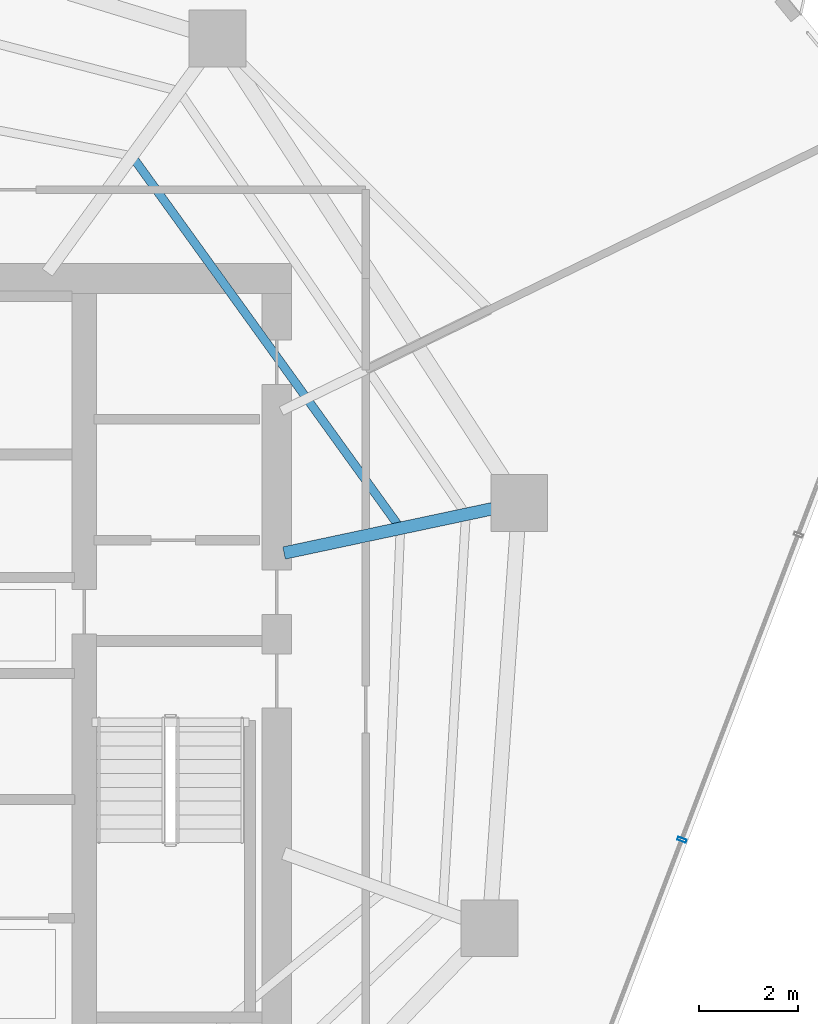
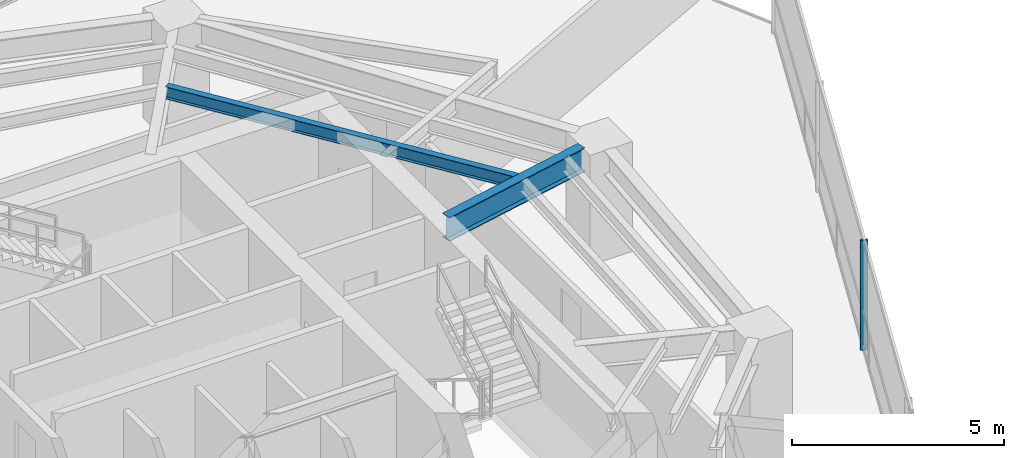
# One storey, part 14 of 27: 2 beams, 1 member, 1 element without a shape of its own.
"""IFC4 building model written with IfcOpenShell, lengths in metres."""

import ifcopenshell
import ifcopenshell.guid

model = None  # the IFC model being written
_history = None  # IfcOwnerHistory: only IFC2X3 demands one
_inside = {}  # id of a spatial element -> (the spatial element, [elements in it])
_under = {}  # id of a project, library or spatial element -> (it, [spatial elements below it])
_declared = {}  # id of a project -> (the project, [libraries it declares])
_typed = {}  # id of a type object -> (the type object, [elements of that type])
_made_of = {}  # id of a material, layer set ... -> (it, [elements and type objects made of it])


def new_model(schema):
    """Start an empty IFC model of exactly this schema.

    Asked for "IFC4X3", IfcOpenShell would pick the latest addendum, in which some entities
    have other attributes; the version numbers below select the first issue.
    IFC2X3 requires an IfcOwnerHistory on every rooted entity: one is made here for all.
    """
    global model, _history
    if schema == "IFC4X3":
        model = ifcopenshell.file(schema_version=(4, 3, 0, 0))
    else:
        model = ifcopenshell.file(schema=schema)
    _inside.clear()
    _under.clear()
    _declared.clear()
    _typed.clear()
    _made_of.clear()
    _history = None
    if model.schema == "IFC2X3":
        org = make("IfcOrganization", Name="unknown")
        user = make(
            "IfcPersonAndOrganization",
            ThePerson=make("IfcPerson", FamilyName="unknown"),
            TheOrganization=org,
        )
        app = make(
            "IfcApplication",
            ApplicationDeveloper=org,
            Version="unknown",
            ApplicationFullName="unknown",
            ApplicationIdentifier="unknown",
        )
        _history = make(
            "IfcOwnerHistory",
            OwningUser=user,
            OwningApplication=app,
            ChangeAction="ADDED",
            CreationDate=0,
        )
    return model


def make(cls, **values):
    """One entity of the class cls with the attributes given. An attribute that is None is left unset."""
    return model.create_entity(
        cls, **{name: value for name, value in values.items() if value is not None}
    )


def rooted(cls, **values):
    """An entity with a GlobalId (a new one), such as an element, a storey or a relation."""
    return make(cls, GlobalId=ifcopenshell.guid.new(), OwnerHistory=_history, **values)


def si_unit(unit_type, name, prefix=None):
    """IfcSIUnit, for example si_unit("LENGTHUNIT", "METRE", prefix="MILLI")."""
    return make("IfcSIUnit", UnitType=unit_type, Prefix=prefix, Name=name)


def assignment(units):
    """IfcUnitAssignment: the units of a project."""
    return None if units is None else make("IfcUnitAssignment", Units=units)


def point(xyz):
    """IfcCartesianPoint."""
    return None if xyz is None else make("IfcCartesianPoint", Coordinates=xyz)


def direction(xyz):
    """IfcDirection."""
    return None if xyz is None else make("IfcDirection", DirectionRatios=xyz)


def frame(location, z_axis=None, x_axis=None):
    """IfcAxis2Placement3D, a coordinate frame: its origin and axes. An axis left out is left unset."""
    return make(
        "IfcAxis2Placement3D",
        Location=point(location),
        Axis=direction(z_axis),
        RefDirection=direction(x_axis),
    )


def frame_2d(location, x_axis=None):
    """IfcAxis2Placement2D, a coordinate frame in the plane: its origin and x axis."""
    return make(
        "IfcAxis2Placement2D", Location=point(location), RefDirection=direction(x_axis)
    )


def origin():
    """The frame at (0, 0, 0) with its axes left unset."""
    return frame((0.0, 0.0, 0.0))


def origin_2d():
    """The frame at (0, 0) in the plane with its x axis left unset."""
    return frame_2d((0.0, 0.0))


def place(relative_to, where):
    """IfcLocalPlacement: puts the frame where relative to a parent placement (None: the world)."""
    return make(
        "IfcLocalPlacement", PlacementRelTo=relative_to, RelativePlacement=where
    )


def context(
    kind, dimensions, precision=None, world=None, true_north=None, identifier=None
):
    """IfcGeometricRepresentationContext, for example the 3D "Model" context."""
    return make(
        "IfcGeometricRepresentationContext",
        ContextIdentifier=identifier,
        ContextType=kind,
        CoordinateSpaceDimension=dimensions,
        Precision=precision,
        WorldCoordinateSystem=world,
        TrueNorth=true_north,
    )


def subcontext(parent, identifier, kind, view, scale=None):
    """IfcGeometricRepresentationSubContext, for example "Body" below "Model"."""
    return make(
        "IfcGeometricRepresentationSubContext",
        ContextIdentifier=identifier,
        ContextType=kind,
        ParentContext=parent,
        TargetScale=scale,
        TargetView=view,
    )


def project(units=None, contexts=None):
    """IfcProject with its units and contexts."""
    return rooted(
        "IfcProject",
        Name="project",
        RepresentationContexts=contexts,
        UnitsInContext=assignment(units),
    )


def spatial(cls, under=None, at=None, **own):
    """A site, building, storey or space (cls), placed at a placement, below another one or the project."""
    s = rooted(cls, ObjectPlacement=at, **own)
    if under is not None:
        _under.setdefault(under.id(), (under, []))[1].append(s)
    return s


def profile(cls, at=None, kind="AREA", **sizes):
    """A parametric profile (cls). Its sizes go by their IFC names, for example OverallWidth=200.0."""
    return make(cls, ProfileType=kind, Position=at, **sizes)


def hollow_rectangle(**sizes):
    """IfcRectangleHollowProfileDef."""
    return profile("IfcRectangleHollowProfileDef", **sizes)


def i_section(**sizes):
    """IfcIShapeProfileDef."""
    return profile("IfcIShapeProfileDef", **sizes)


def extrude(swept, where, along, depth):
    """IfcExtrudedAreaSolid: the profile swept, set in the frame where, extruded along a direction by depth."""
    return make(
        "IfcExtrudedAreaSolid",
        SweptArea=swept,
        Position=where,
        ExtrudedDirection=direction(along),
        Depth=depth,
    )


def shape(context_of_items, identifier, shape_type, items):
    """IfcShapeRepresentation: the items that make up one representation, for example the "Body"."""
    return make(
        "IfcShapeRepresentation",
        ContextOfItems=context_of_items,
        RepresentationIdentifier=identifier,
        RepresentationType=shape_type,
        Items=items,
    )


def material(Name=None, Category=None):
    """IfcMaterial."""
    return make("IfcMaterial", Name=Name, Category=Category)


def layer(
    of_material, thickness, ventilated=None, Name=None, Category=None, Priority=None
):
    """IfcMaterialLayer: one layer of a wall or slab, of a material (None: an air gap)."""
    return make(
        "IfcMaterialLayer",
        Material=of_material,
        LayerThickness=thickness,
        IsVentilated=ventilated,
        Name=Name,
        Category=Category,
        Priority=Priority,
    )


def layer_set(layers, Name=None):
    """IfcMaterialLayerSet."""
    return make("IfcMaterialLayerSet", MaterialLayers=layers, LayerSetName=Name)


def material_profile(
    of_material, cross_section, Name=None, Category=None, Priority=None
):
    """IfcMaterialProfile: a cross section and its material."""
    return make(
        "IfcMaterialProfile",
        Name=Name,
        Material=of_material,
        Profile=cross_section,
        Priority=Priority,
        Category=Category,
    )


def profile_set(profiles, Name=None, composite=None):
    """IfcMaterialProfileSet."""
    return make(
        "IfcMaterialProfileSet",
        Name=Name,
        MaterialProfiles=profiles,
        CompositeProfile=composite,
    )


def made_of(thing, what):
    """Note that an element or type object is made of a material, layer set ...; save() writes the relation."""
    if what is not None:
        _made_of.setdefault(what.id(), (what, []))[1].append(thing)
    return thing


def type_object(cls, material=None, **own):
    """A type object (cls), such as IfcWallType, which elements share."""
    return made_of(rooted(cls, **own), material)


def element(
    cls,
    number,
    at=None,
    inside=None,
    cuts=None,
    type_object=None,
    material=None,
    context=None,
    identifier="Body",
    shape_type=None,
    held_by="IfcProductDefinitionShape",
    body=None,
    shapes=None,
    **own,
):
    """One element of the class cls, such as IfcWall. Its Tag is "e" and its number.

    at: its placement. inside: the storey or other place that contains it. cuts: it is an
    opening in that element (IfcRelVoidsElement). A single representation is given by context,
    identifier, shape_type and body (its items); several are given by shapes. held_by: the class
    of the entity that holds the representations. save() writes the other relations.
    """
    e = rooted(cls, Tag="e%d" % number, ObjectPlacement=at, **own)
    if body is not None:
        shapes = [shape(context, identifier, shape_type, body)]
    if shapes is not None:
        e.Representation = make(held_by, Representations=shapes)
    if inside is not None:
        _inside.setdefault(inside.id(), (inside, []))[1].append(e)
    if cuts is not None:
        rooted(
            "IfcRelVoidsElement", RelatingBuildingElement=cuts, RelatedOpeningElement=e
        )
    if type_object is not None:
        _typed.setdefault(type_object.id(), (type_object, []))[1].append(e)
    return made_of(e, material)


def aggregate(whole, parts):
    """IfcRelAggregates: a whole, such as a stair, and the parts it consists of."""
    return rooted("IfcRelAggregates", RelatingObject=whole, RelatedObjects=parts)


def save(model, path):
    """Write the relations noted so far, then the file.

    IfcRelAggregates (storeys below a building ...), IfcRelContainedInSpatialStructure (elements
    in a storey), IfcRelDefinesByType, IfcRelAssociatesMaterial and IfcRelDeclares: one each for
    every whole, place, type object, material and project.
    """
    for whole, parts in _under.values():
        aggregate(whole, parts)
    for where, things in _inside.values():
        rooted(
            "IfcRelContainedInSpatialStructure",
            RelatedElements=things,
            RelatingStructure=where,
        )
    for kind, things in _typed.values():
        rooted("IfcRelDefinesByType", RelatedObjects=things, RelatingType=kind)
    for what, things in _made_of.values():
        rooted("IfcRelAssociatesMaterial", RelatedObjects=things, RelatingMaterial=what)
    for by, libraries in _declared.values():
        rooted("IfcRelDeclares", RelatingContext=by, RelatedDefinitions=libraries)
    model.write(path)


model = new_model("IFC4")

# Units and contexts
model_context = context("Model", 3, precision=1e-05, world=origin(), true_north=direction((0.0, 1.0)))
body_context = subcontext(model_context, "Body", "Model", "MODEL_VIEW")
ifc_project = project(units=[si_unit("LENGTHUNIT", "METRE"), si_unit("AREAUNIT", "SQUARE_METRE"), si_unit("VOLUMEUNIT", "CUBIC_METRE"), si_unit("PLANEANGLEUNIT", "RADIAN"), si_unit("MASSUNIT", "GRAM", prefix="KILO")], contexts=[model_context])

# Site, building, storey
site_placement = place(None, origin())
site = spatial("IfcSite", under=ifc_project, at=site_placement, CompositionType="ELEMENT")
building_placement = place(site_placement, origin())
building = spatial("IfcBuilding", under=site, at=building_placement, Name="Qarnah Convention Tower", CompositionType="ELEMENT")
storey_placement = place(building_placement, frame((0.0, 0.0, 100.5)))
storey = spatial("IfcBuildingStorey", under=building, at=storey_placement, Name="L26", CompositionType="ELEMENT", Elevation=100.5)

# Beams
ifc_material_1 = material(Name="Structural steel S355JR", Category="steel")
ifc_material_profile_1 = material_profile(ifc_material_1, i_section(OverallWidth=0.172119140625, OverallDepth=0.35595703125, WebThickness=0.007080078125, FlangeThickness=0.011962890625, at=origin_2d()), Name="W360X51")
ifc_profile_set_1 = profile_set([ifc_material_profile_1], Name="Structural steel S355JR")
beam_type_1 = type_object("IfcBeamType", Name="BM-JST-W360", PredefinedType="JOIST", material=ifc_profile_set_1)
beam_1_placement = place(storey_placement, frame((50.050048828125, 29.216064453125, 2.991943359375), z_axis=(-0.584910233528, 0.81109803274, 0.0), x_axis=(-0.81109803274, -0.584910233528, 0.0)))
element("IfcBeam", 1, at=beam_1_placement, inside=storey, type_object=beam_type_1, Name="L26 joist BM-L26-IJST-01", PredefinedType="JOIST", context=body_context, shape_type="SweptSolid", body=[
    extrude(i_section(OverallWidth=0.172119140625, OverallDepth=0.35595703125, WebThickness=0.007080078125, FlangeThickness=0.011962890625, at=origin_2d()), origin(), (0.0, 0.0, 1.0), 9.111083984375),
])
ifc_material_profile_2 = material_profile(ifc_material_1, i_section(OverallWidth=0.25390625, OverallDepth=0.68798828125, WebThickness=0.012939453125, FlangeThickness=0.02099609375, at=origin_2d()), Name="W690X152")
ifc_profile_set_2 = profile_set([ifc_material_profile_2], Name="Structural steel S355JR")
beam_type_2 = type_object("IfcBeamType", Name="BM-RAD-W690", PredefinedType="BEAM", material=ifc_profile_set_2)
beam_2_placement = place(storey_placement, frame((47.7470703125, 28.64208984375, 2.825927734375), z_axis=(0.978128480765, 0.20800162287, 0.0), x_axis=(-0.20800162287, 0.978128480765, 0.0)))
element("IfcBeam", 2, at=beam_2_placement, inside=storey, type_object=beam_type_2, Name="L26 beam BM-L26-RAD-01", PredefinedType="BEAM", context=body_context, shape_type="SweptSolid", body=[
    extrude(i_section(OverallWidth=0.25390625, OverallDepth=0.68798828125, WebThickness=0.012939453125, FlangeThickness=0.02099609375, at=origin_2d()), origin(), (0.0, 0.0, 1.0), 4.312255859375),
])

# Curtain wall, member
ifc_material_2 = material(Name="Tempered Low-E dark glass", Category="glass")
ifc_layer = layer(ifc_material_2, 0.169921875)
ifc_layer_set = layer_set([ifc_layer], Name="Tempered Low-E dark glass")
curtain_wall_type = type_object("IfcCurtainWallType", Name="CWS-02", PredefinedType="NOTDEFINED", material=ifc_layer_set)
curtain_wall_placement = place(storey_placement, origin())
curtain_wall = element("IfcCurtainWall", 3, at=curtain_wall_placement, inside=storey, type_object=curtain_wall_type, Name="L26 unitised curtain wall CW-L26-F1", PredefinedType="NOTDEFINED")
ifc_material_3 = material(Name="Black anodised aluminium", Category="aluminium")
ifc_material_profile_3 = material_profile(ifc_material_3, hollow_rectangle(XDim=0.06494140625, YDim=0.179931640625, WallThickness=0.00390625, at=origin_2d()), Name="MUL-65X180")
ifc_profile_set_3 = profile_set([ifc_material_profile_3], Name="Black anodised aluminium")
member_type = type_object("IfcMemberType", Name="MUL-T2", PredefinedType="MULLION", material=ifc_profile_set_3)
member_placement = place(storey_placement, frame((55.802001953125, 22.83740234375, 0.0), z_axis=(0.0, 0.0, 1.0), x_axis=(-0.356401833509, -0.934332774268, 0.0)))
member = element("IfcMember", 4, at=member_placement, type_object=member_type, Name="CW-L26-F1 mullion 3", PredefinedType="MULLION", context=body_context, shape_type="SweptSolid", body=[
    extrude(hollow_rectangle(XDim=0.06494140625, YDim=0.179931640625, WallThickness=0.00390625, at=origin_2d()), origin(), (0.0, 0.0, 1.0), 3.169921875),
])
aggregate(curtain_wall, [member])

save(model, "model.ifc")
